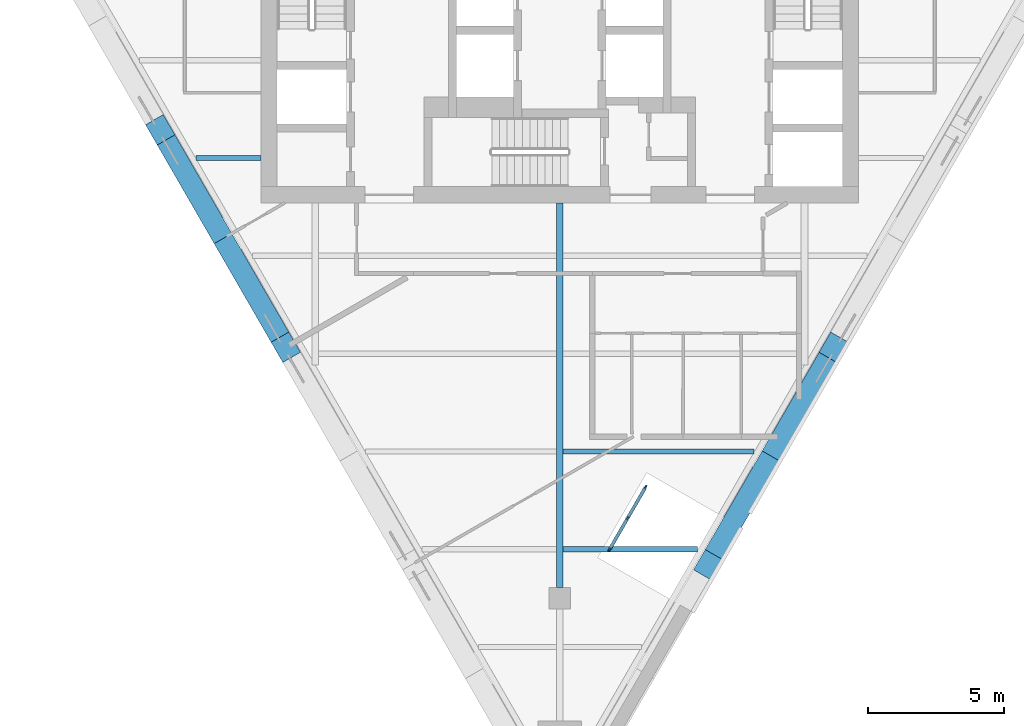
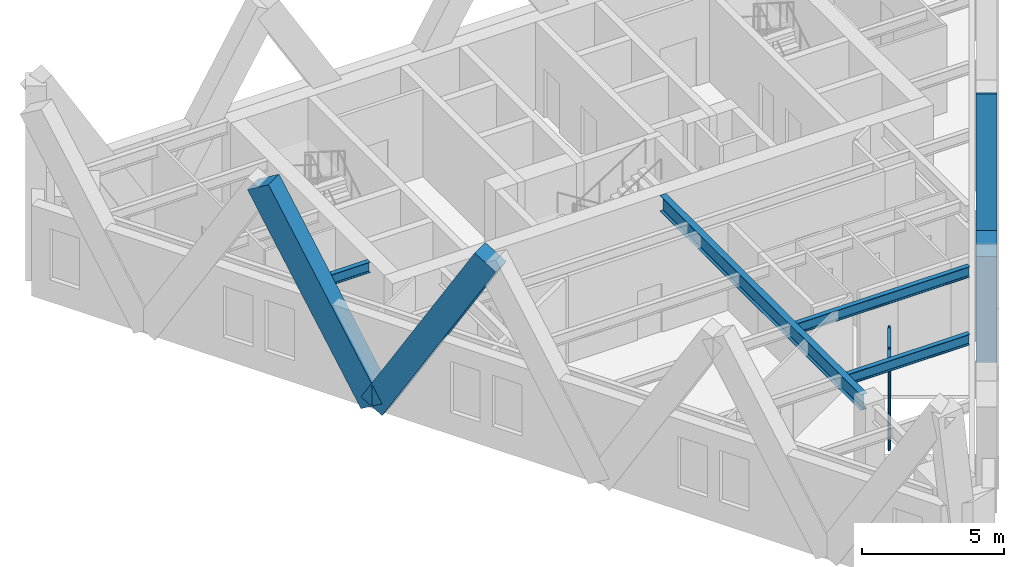
# One storey, part 2 of 9: 13 members, 4 beams, 1 element without a shape of its own.
"""IFC4 building model written with IfcOpenShell, lengths in metres."""

from ifc_helpers import new_model, si_unit, direction, frame, origin, origin_2d, place, context, subcontext, project, spatial, rectangle, i_section, extrude, material, material_profile, profile_set, type_object, element, aggregate, save


model = new_model("IFC4")

# Units and contexts
model_context = context("Model", 3, precision=1e-05, world=origin(), true_north=direction((0.0, 1.0)))
body_context = subcontext(model_context, "Body", "Model", "MODEL_VIEW")
ifc_project = project(units=[si_unit("LENGTHUNIT", "METRE"), si_unit("AREAUNIT", "SQUARE_METRE"), si_unit("VOLUMEUNIT", "CUBIC_METRE"), si_unit("PLANEANGLEUNIT", "RADIAN"), si_unit("MASSUNIT", "GRAM", prefix="KILO")], contexts=[model_context])

# Site, building, storey
site_placement = place(None, origin())
site = spatial("IfcSite", under=ifc_project, at=site_placement, CompositionType="ELEMENT")
building_placement = place(site_placement, origin())
building = spatial("IfcBuilding", under=site, at=building_placement, Name="Aloe Facet Convention Tower", CompositionType="ELEMENT")
storey_placement = place(building_placement, frame((0.0, 0.0, 277.699951171875)))
storey = spatial("IfcBuildingStorey", under=building, at=storey_placement, Name="L68", CompositionType="ELEMENT", Elevation=277.699951171875)

# Curtain wall, members
ifc_material_1 = material(Name="Aluminium, anodised", Category="aluminium")
curtain_wall_type = type_object("IfcCurtainWallType", Name="EV-CW-TERRACE", PredefinedType="USERDEFINED", material=ifc_material_1)
curtain_wall_placement = place(storey_placement, origin())
curtain_wall = element("IfcCurtainWall", 1, at=curtain_wall_placement, inside=storey, type_object=curtain_wall_type, Name="CW-T15", ObjectType="TERRACE BACK GLAZING", PredefinedType="USERDEFINED")
ifc_material_2 = material(Name="Aluminium, anodised", Category="aluminium")
ifc_material_profile_1 = material_profile(ifc_material_2, rectangle(XDim=0.06005859375, YDim=0.14990234375, at=origin_2d()), Name="AL 60x150")
ifc_profile_set_1 = profile_set([ifc_material_profile_1], Name="Aluminium, anodised")
member_type_1 = type_object("IfcMemberType", Name="EV-MULL-TERRACE", PredefinedType="MULLION", material=ifc_profile_set_1)
member_1_placement = place(storey_placement, frame((81.835693359375, 109.7998046875, -0.14990234375), z_axis=(0.0, 0.0, 1.0), x_axis=(-0.866025403854, 0.499999999879, 0.0)))
member_1 = element("IfcMember", 2, at=member_1_placement, type_object=member_type_1, Name="CW-T15 mullion 1", PredefinedType="MULLION", context=body_context, shape_type="SweptSolid", body=[
    extrude(rectangle(XDim=0.06005859375, YDim=0.14990234375, at=origin_2d()), origin(), (0.0, 0.0, 1.0), 3.43994140625),
])
member_2_placement = place(storey_placement, frame((82.49560546875, 110.943115234375, -0.14990234375), z_axis=(0.0, 0.0, 1.0), x_axis=(-0.866025403854, 0.499999999879, 0.0)))
member_2 = element("IfcMember", 3, at=member_2_placement, type_object=member_type_1, Name="CW-T15 mullion 2", PredefinedType="MULLION", context=body_context, shape_type="SweptSolid", body=[
    extrude(rectangle(XDim=0.06005859375, YDim=0.14990234375, at=origin_2d()), origin(), (0.0, 0.0, 1.0), 3.43994140625),
])
member_3_placement = place(storey_placement, frame((83.155517578125, 112.086181640625, -0.14990234375), z_axis=(0.0, 0.0, 1.0), x_axis=(-0.866025403854, 0.499999999879, 0.0)))
member_3 = element("IfcMember", 4, at=member_3_placement, type_object=member_type_1, Name="CW-T15 mullion 3", PredefinedType="MULLION", context=body_context, shape_type="SweptSolid", body=[
    extrude(rectangle(XDim=0.06005859375, YDim=0.14990234375, at=origin_2d()), origin(), (0.0, 0.0, 1.0), 3.43994140625),
])
ifc_material_3 = material(Name="Aluminium, anodised", Category="aluminium")
ifc_material_profile_2 = material_profile(ifc_material_3, rectangle(XDim=0.1201171875, YDim=0.06005859375, at=origin_2d()), Name="AL 120x60")
ifc_profile_set_2 = profile_set([ifc_material_profile_2], Name="Aluminium, anodised")
member_type_2 = type_object("IfcMemberType", Name="EV-TRAN-TERRACE", PredefinedType="USERDEFINED", material=ifc_profile_set_2)
member_4_placement = place(storey_placement, frame((81.8505859375, 109.825927734375, -0.119873046875), z_axis=(0.50011940292, 0.865956455501, 0.0), x_axis=(-0.865956455501, 0.50011940292, 0.0)))
member_4 = element("IfcMember", 5, at=member_4_placement, type_object=member_type_2, Name="CW-T15 transom 1.1", ObjectType="TRANSOM", PredefinedType="USERDEFINED", context=body_context, shape_type="SweptSolid", body=[
    extrude(rectangle(XDim=0.1201171875, YDim=0.06005859375, at=origin_2d()), origin(), (0.0, 0.0, 1.0), 1.260009765625),
])
member_5_placement = place(storey_placement, frame((81.8505859375, 109.825927734375, 1.570068359375), z_axis=(0.50011940292, 0.865956455501, 0.0), x_axis=(-0.865956455501, 0.50011940292, 0.0)))
member_5 = element("IfcMember", 6, at=member_5_placement, type_object=member_type_2, Name="CW-T15 transom 1.2", ObjectType="TRANSOM", PredefinedType="USERDEFINED", context=body_context, shape_type="SweptSolid", body=[
    extrude(rectangle(XDim=0.1201171875, YDim=0.06005859375, at=origin_2d()), origin(), (0.0, 0.0, 1.0), 1.260009765625),
])
member_6_placement = place(storey_placement, frame((81.8505859375, 109.825927734375, 3.260009765625), z_axis=(0.50011940292, 0.865956455501, 0.0), x_axis=(-0.865956455501, 0.50011940292, 0.0)))
member_6 = element("IfcMember", 7, at=member_6_placement, type_object=member_type_2, Name="CW-T15 transom 1.3", ObjectType="TRANSOM", PredefinedType="USERDEFINED", context=body_context, shape_type="SweptSolid", body=[
    extrude(rectangle(XDim=0.1201171875, YDim=0.06005859375, at=origin_2d()), origin(), (0.0, 0.0, 1.0), 1.260009765625),
])
member_7_placement = place(storey_placement, frame((82.510498046875, 110.968994140625, -0.119873046875), z_axis=(0.500035496587, 0.86600490885, 0.0), x_axis=(-0.86600490885, 0.500035496587, 0.0)))
member_7 = element("IfcMember", 8, at=member_7_placement, type_object=member_type_2, Name="CW-T15 transom 2.1", ObjectType="TRANSOM", PredefinedType="USERDEFINED", context=body_context, shape_type="SweptSolid", body=[
    extrude(rectangle(XDim=0.1201171875, YDim=0.06005859375, at=origin_2d()), origin(), (0.0, 0.0, 1.0), 1.26025390625),
])
member_8_placement = place(storey_placement, frame((82.510498046875, 110.968994140625, 1.570068359375), z_axis=(0.500035496587, 0.86600490885, 0.0), x_axis=(-0.86600490885, 0.500035496587, 0.0)))
member_8 = element("IfcMember", 9, at=member_8_placement, type_object=member_type_2, Name="CW-T15 transom 2.2", ObjectType="TRANSOM", PredefinedType="USERDEFINED", context=body_context, shape_type="SweptSolid", body=[
    extrude(rectangle(XDim=0.1201171875, YDim=0.06005859375, at=origin_2d()), origin(), (0.0, 0.0, 1.0), 1.26025390625),
])
member_9_placement = place(storey_placement, frame((82.510498046875, 110.968994140625, 3.260009765625), z_axis=(0.500035496587, 0.86600490885, 0.0), x_axis=(-0.86600490885, 0.500035496587, 0.0)))
member_9 = element("IfcMember", 10, at=member_9_placement, type_object=member_type_2, Name="CW-T15 transom 2.3", ObjectType="TRANSOM", PredefinedType="USERDEFINED", context=body_context, shape_type="SweptSolid", body=[
    extrude(rectangle(XDim=0.1201171875, YDim=0.06005859375, at=origin_2d()), origin(), (0.0, 0.0, 1.0), 1.26025390625),
])
aggregate(curtain_wall, [member_1, member_2, member_3, member_4, member_5, member_6, member_7, member_8, member_9])

# Beams
ifc_material_4 = material(Name="Steel S355", Category="steel")
ifc_material_profile_3 = material_profile(ifc_material_4, i_section(OverallWidth=0.19140625, OverallDepth=0.4599609375, WebThickness=0.010009765625, FlangeThickness=0.01611328125, FilletRadius=0.01025390625, at=origin_2d()), Name="UB 457x191x82")
ifc_profile_set_3 = profile_set([ifc_material_profile_3], Name="Steel S355")
beam_type_1 = type_object("IfcBeamType", Name="SF-B-UB457x191x82", PredefinedType="BEAM", material=ifc_profile_set_3)
beam_1_placement = place(storey_placement, frame((66.609130859375, 124.199951171875, 3.52001953125), z_axis=(1.0, 0.0, 0.0), x_axis=(0.0, 1.0, 0.0)))
element("IfcBeam", 11, at=beam_1_placement, inside=storey, type_object=beam_type_1, Name="Floor beam FB-Z5B-011", PredefinedType="BEAM", context=body_context, shape_type="SweptSolid", body=[
    extrude(i_section(OverallWidth=0.19140625, OverallDepth=0.4599609375, WebThickness=0.010009765625, FlangeThickness=0.01611328125, FilletRadius=0.01025390625, at=origin_2d()), origin(), (0.0, 0.0, 1.0), 2.390869140625),
])
beam_2_placement = place(storey_placement, frame((80.12646484375, 109.800048828125, 3.52001953125), z_axis=(1.0, 0.0, 0.0), x_axis=(0.0, 1.0, 0.0)))
element("IfcBeam", 12, at=beam_2_placement, inside=storey, type_object=beam_type_1, Name="Floor beam FB-Z5B-019", PredefinedType="BEAM", context=body_context, shape_type="SweptSolid", body=[
    extrude(i_section(OverallWidth=0.19140625, OverallDepth=0.4599609375, WebThickness=0.010009765625, FlangeThickness=0.01611328125, FilletRadius=0.01025390625, at=origin_2d()), origin(), (0.0, 0.0, 1.0), 4.950439453125),
])
beam_3_placement = place(storey_placement, frame((80.12646484375, 113.39990234375, 3.52001953125), z_axis=(1.0, 0.0, 0.0), x_axis=(0.0, 1.0, 0.0)))
element("IfcBeam", 13, at=beam_3_placement, inside=storey, type_object=beam_type_1, Name="Floor beam FB-Z5B-020", PredefinedType="BEAM", context=body_context, shape_type="SweptSolid", body=[
    extrude(i_section(OverallWidth=0.19140625, OverallDepth=0.4599609375, WebThickness=0.010009765625, FlangeThickness=0.01611328125, FilletRadius=0.01025390625, at=origin_2d()), origin(), (0.0, 0.0, 1.0), 7.029052734375),
])
ifc_material_5 = material(Name="Steel S355", Category="steel")
ifc_material_profile_4 = material_profile(ifc_material_5, i_section(OverallWidth=0.2529296875, OverallDepth=0.677978515625, WebThickness=0.01171875, FlangeThickness=0.01611328125, FilletRadius=0.01513671875, at=origin_2d()), Name="UB 686x254x125")
ifc_profile_set_4 = profile_set([ifc_material_profile_4], Name="Steel S355")
beam_type_2 = type_object("IfcBeamType", Name="SF-B-UB686x254x125", PredefinedType="BEAM", material=ifc_profile_set_4)
beam_4_placement = place(storey_placement, frame((80.0, 122.550048828125, 3.4111328125), z_axis=(0.0, -1.0, 0.0), x_axis=(1.0, 0.0, 0.0)))
element("IfcBeam", 14, at=beam_4_placement, inside=storey, type_object=beam_type_2, Name="Floor beam FB-Z5B-007", PredefinedType="BEAM", context=body_context, shape_type="SweptSolid", body=[
    extrude(i_section(OverallWidth=0.2529296875, OverallDepth=0.677978515625, WebThickness=0.01171875, FlangeThickness=0.01611328125, FilletRadius=0.01513671875, at=origin_2d()), origin(), (0.0, 0.0, 1.0), 14.150146484375),
])

# Members
ifc_material_6 = material(Name="Concrete C60/75, bronze oxide finish", Category="concrete")
ifc_material_profile_5 = material_profile(ifc_material_6, rectangle(XDim=0.75, YDim=1.0, at=origin_2d()), Name="STW-LM")
ifc_profile_set_5 = profile_set([ifc_material_profile_5], Name="Concrete C60/75, bronze oxide finish")
member_type_3 = type_object("IfcMemberType", Name="STW-LM", PredefinedType="BRACE", material=ifc_profile_set_5)
for number, where, z_axis, x_axis, name in (
    (15, (67.60595703125, 121.237548828125, 0.0), (-0.254873462398, 0.441457532229, 0.860322477565), (-0.866027240882, -0.49999681804, 0.0), "Lattice member LM-Z5-F2-R5-03"),
    (16, (67.60595703125, 121.237548828125, 0.0), (0.254876492185, -0.441435851704, 0.860332704575), (0.866014033677, 0.500019693086, 0.0), "Lattice member LM-Z5-F2-R5-04"),
    (17, (87.7724609375, 113.23291015625, 0.0), (-0.254873462398, -0.441457532229, 0.860322477565), (0.866027240882, -0.49999681804, 0.0), "Lattice member LM-Z5-F3-R5-03"),
    (18, (87.7724609375, 113.23291015625, 0.0), (0.254873462398, 0.441457532229, 0.860322477565), (-0.866027240882, 0.49999681804, 0.0), "Lattice member LM-Z5-F3-R5-04"),
):
    element("IfcMember", number, at=place(storey_placement, frame(where, z_axis=z_axis, x_axis=x_axis)), inside=storey, type_object=member_type_3, Name=name, PredefinedType="BRACE", context=body_context, shape_type="SweptSolid", body=[
        extrude(rectangle(XDim=0.75, YDim=1.0, at=origin_2d()), origin(), (0.0, 0.0, 1.0), 9.06640625),
    ])

save(model, "model.ifc")
